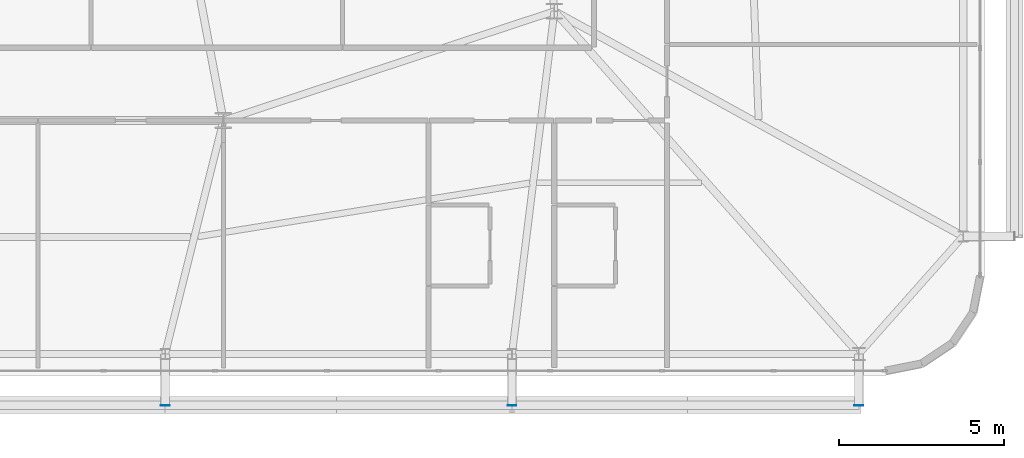
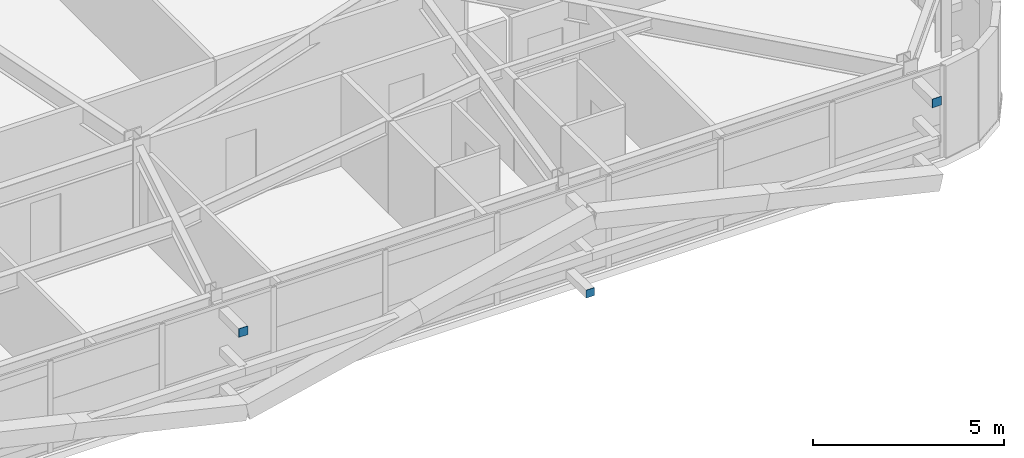
# One storey, part 47 of 58: 3 plates.
"""IFC4 building model written with IfcOpenShell, lengths in metres."""

from ifc_helpers import new_model, si_unit, direction, frame, origin, origin_2d, place, context, subcontext, project, spatial, rectangle, extrude, source, transform, mapped, material, layer, layer_set, type_object, element, save


model = new_model("IFC4")

# Units and contexts
model_context = context("Model", 3, precision=1e-05, world=origin(), true_north=direction((0.0, 1.0)))
body_context = subcontext(model_context, "Body", "Model", "MODEL_VIEW")
ifc_project = project(units=[si_unit("LENGTHUNIT", "METRE"), si_unit("AREAUNIT", "SQUARE_METRE"), si_unit("VOLUMEUNIT", "CUBIC_METRE"), si_unit("PLANEANGLEUNIT", "RADIAN"), si_unit("MASSUNIT", "GRAM", prefix="KILO")], contexts=[model_context])

# Site, building, storey
site_placement = place(None, origin())
site = spatial("IfcSite", under=ifc_project, at=site_placement, CompositionType="ELEMENT")
building_placement = place(site_placement, origin())
building = spatial("IfcBuilding", under=site, at=building_placement, Name="Taldren Reach Tower", CompositionType="ELEMENT")
storey_placement = place(building_placement, frame((0.0, 0.0, 51.449951171875)))
storey = spatial("IfcBuildingStorey", under=building, at=storey_placement, Name="L15", CompositionType="ELEMENT", Elevation=51.449951171875)

# Plates
ifc_material_1 = material(Name="Steel Gr 450 (C450L0)", Category="steel")
ifc_layer_1 = layer(ifc_material_1, 0.011962890625)
ifc_layer_set_1 = layer_set([ifc_layer_1], Name="Steel Gr 450 (C450L0)")
plate_type_1 = type_object("IfcPlateType", Name="PL-CAP-275", PredefinedType="SHEET", material=ifc_layer_set_1)
shared_shape_1 = source(origin(), body_context, "Body", "SweptSolid", [
    extrude(rectangle(XDim=0.27490234375, YDim=0.011962890625, at=origin_2d()), origin(), (0.0, 0.0, 1.0), 0.27490234375),
])
for number, where, z_axis, x_axis, name in (
    (1, (40.239990234375, 0.593994140625, 2.5126953125), (0.0, 0.0, 1.0), (1.0, 0.0, 0.0), "Tie strut end cap plate B1-S4 L15"),
    (2, (61.199951171875, 0.593994140625, 2.5126953125), (0.0, 0.0, 1.0), (1.0, 0.0, 0.0), "Tie strut end cap plate B1-S6 L15"),
):
    element("IfcPlate", number, at=place(storey_placement, frame(where, z_axis=z_axis, x_axis=x_axis)), inside=storey, type_object=plate_type_1, Name=name, PredefinedType="SHEET", context=body_context, shape_type="MappedRepresentation", body=[
        mapped(shared_shape_1, transform((0.0, 0.0, 0.0), scale=1.0)),
    ])
ifc_material_2 = material(Name="Steel Gr 350 (C350L0)", Category="steel")
ifc_layer_2 = layer(ifc_material_2, 0.011962890625)
ifc_layer_set_2 = layer_set([ifc_layer_2], Name="Steel Gr 350 (C350L0)")
plate_type_2 = type_object("IfcPlateType", Name="PL-CAP-250", PredefinedType="SHEET", material=ifc_layer_set_2)
shared_shape_2 = source(origin(), body_context, "Body", "SweptSolid", [
    extrude(rectangle(XDim=0.25, YDim=0.011962890625, at=origin_2d()), origin(), (0.0, 0.0, 1.0), 0.25),
])
plate_placement = place(storey_placement, frame((50.719970703125, 0.593994140625, 0.094970703125), z_axis=(0.0, 0.0, 1.0), x_axis=(1.0, 0.0, 0.0)))
element("IfcPlate", 3, at=plate_placement, inside=storey, type_object=plate_type_2, Name="Tie strut end cap plate B1-S5 L15", PredefinedType="SHEET", context=body_context, shape_type="MappedRepresentation", body=[
    mapped(shared_shape_2, transform((0.0, 0.0, 0.0), scale=1.0)),
])

save(model, "model.ifc")
